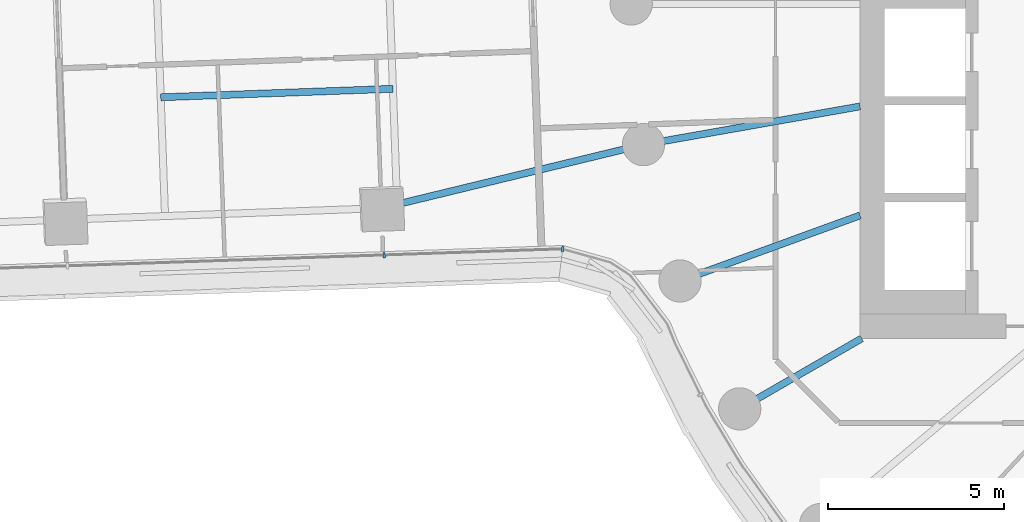
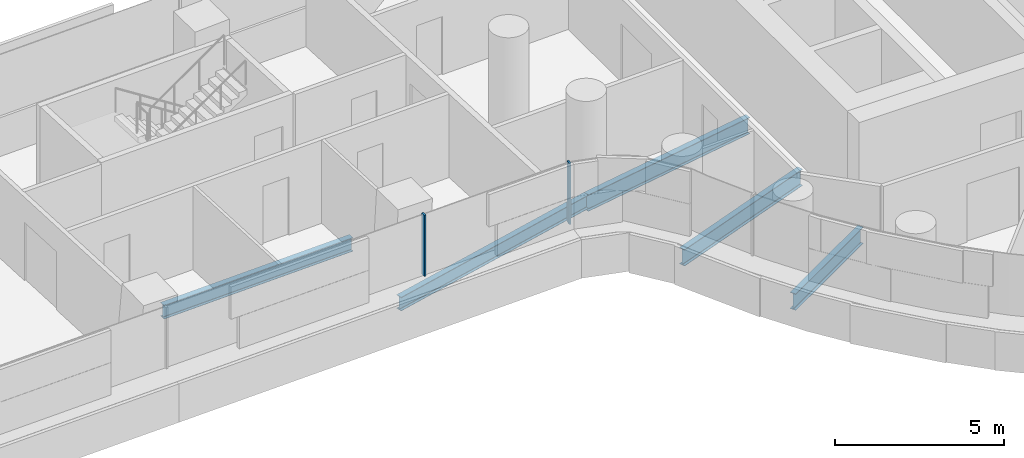
# One storey, part 5 of 31: 5 beams, 2 members, 2 elements without a shape of their own.
"""IFC4 building model written with IfcOpenShell, lengths in metres."""

from ifc_helpers import new_model, si_unit, direction, frame, origin, origin_2d, place, context, subcontext, project, spatial, rectangle, i_section, extrude, material, layer, layer_set, material_profile, profile_set, type_object, element, aggregate, save


model = new_model("IFC4")

# Units and contexts
model_context = context("Model", 3, precision=1e-05, world=origin(), true_north=direction((0.0, 1.0)))
body_context = subcontext(model_context, "Body", "Model", "MODEL_VIEW")
ifc_project = project(units=[si_unit("LENGTHUNIT", "METRE"), si_unit("AREAUNIT", "SQUARE_METRE"), si_unit("VOLUMEUNIT", "CUBIC_METRE"), si_unit("PLANEANGLEUNIT", "RADIAN"), si_unit("MASSUNIT", "GRAM", prefix="KILO")], contexts=[model_context])

# Site, building, storey
site_placement = place(None, origin())
site = spatial("IfcSite", under=ifc_project, at=site_placement, CompositionType="ELEMENT")
building_placement = place(site_placement, origin())
building = spatial("IfcBuilding", under=site, at=building_placement, Name="Tamarind Cross Interchange Tower", CompositionType="ELEMENT")
storey_placement = place(building_placement, frame((0.0, 0.0, 41.5)))
storey = spatial("IfcBuildingStorey", under=building, at=storey_placement, Name="L08", CompositionType="ELEMENT", Elevation=41.5)

# Beams
ifc_material_1 = material(Name="Steel Q355B", Category="steel")
ifc_material_profile_1 = material_profile(ifc_material_1, i_section(OverallWidth=0.198974609375, OverallDepth=0.49609375, WebThickness=0.009033203125, FlangeThickness=0.013916015625, FilletRadius=0.012939453125, at=origin_2d()), Name="HN 496x199x9x14")
ifc_profile_set_1 = profile_set([ifc_material_profile_1], Name="Steel Q355B")
beam_type_1 = type_object("IfcBeamType", Name="Composite beam HN 496x199x9x14 Q355B", PredefinedType="BEAM", material=ifc_profile_set_1)
beam_1_placement = place(storey_placement, frame((-30.093994140625, -5.799072265625, -0.387939453125), z_axis=(0.971828427159, 0.235689431593, 0.0), x_axis=(-0.235689431593, 0.971828427159, 0.0)))
element("IfcBeam", 1, at=beam_1_placement, inside=storey, type_object=beam_type_1, Name="Beam W-linkep", PredefinedType="BEAM", context=body_context, shape_type="SweptSolid", body=[
    extrude(i_section(OverallWidth=0.198974609375, OverallDepth=0.49609375, WebThickness=0.009033203125, FlangeThickness=0.013916015625, FilletRadius=0.012939453125, at=origin_2d()), origin(), (0.0, 0.0, 1.0), 7.6591796875),
])
beam_2_placement = place(storey_placement, frame((-29.767333984375, -2.409912109375, -0.387939453125), z_axis=(-0.999335951553, -0.036437013225, 0.0), x_axis=(0.036437013225, -0.999335951553, 0.0)))
element("IfcBeam", 2, at=beam_2_placement, inside=storey, type_object=beam_type_1, Name="Beam W-stripp", PredefinedType="BEAM", context=body_context, shape_type="SweptSolid", body=[
    extrude(i_section(OverallWidth=0.198974609375, OverallDepth=0.49609375, WebThickness=0.009033203125, FlangeThickness=0.013916015625, FilletRadius=0.012939453125, at=origin_2d()), origin(), (0.0, 0.0, 1.0), 6.599853515625),
])
ifc_material_profile_2 = material_profile(ifc_material_1, i_section(OverallWidth=0.198974609375, OverallDepth=0.595947265625, WebThickness=0.010009765625, FlangeThickness=0.014892578125, FilletRadius=0.012939453125, at=origin_2d()), Name="HN 596x199x10x15")
ifc_profile_set_2 = profile_set([ifc_material_profile_2], Name="Steel Q355B")
beam_type_2 = type_object("IfcBeamType", Name="Composite beam HN 596x199x10x15 Q355B", PredefinedType="BEAM", material=ifc_profile_set_2)
beam_3_placement = place(storey_placement, frame((-22.650634765625, -3.993896484375, -0.43798828125), z_axis=(0.984809127561, 0.173640382036, 0.0), x_axis=(-0.173640382036, 0.984809127561, 0.0)))
element("IfcBeam", 3, at=beam_3_placement, inside=storey, type_object=beam_type_2, Name="Beam HH19", PredefinedType="BEAM", context=body_context, shape_type="SweptSolid", body=[
    extrude(i_section(OverallWidth=0.198974609375, OverallDepth=0.595947265625, WebThickness=0.010009765625, FlangeThickness=0.014892578125, FilletRadius=0.012939453125, at=origin_2d()), origin(), (0.0, 0.0, 1.0), 6.24560546875),
])
beam_4_placement = place(storey_placement, frame((-21.613037109375, -7.866455078125, -0.43798828125), z_axis=(0.939701685589, 0.341995236956, 0.0), x_axis=(-0.341995236956, 0.939701685589, 0.0)))
element("IfcBeam", 4, at=beam_4_placement, inside=storey, type_object=beam_type_2, Name="Beam HH20", PredefinedType="BEAM", context=body_context, shape_type="SweptSolid", body=[
    extrude(i_section(OverallWidth=0.198974609375, OverallDepth=0.595947265625, WebThickness=0.010009765625, FlangeThickness=0.014892578125, FilletRadius=0.012939453125, at=origin_2d()), origin(), (0.0, 0.0, 1.0), 5.441162109375),
])
beam_5_placement = place(storey_placement, frame((-19.918701171875, -11.5, -0.43798828125), z_axis=(0.866026010844, 0.49999894854, 0.0), x_axis=(-0.49999894854, 0.866026010844, 0.0)))
element("IfcBeam", 5, at=beam_5_placement, inside=storey, type_object=beam_type_2, Name="Beam HH21", PredefinedType="BEAM", context=body_context, shape_type="SweptSolid", body=[
    extrude(i_section(OverallWidth=0.198974609375, OverallDepth=0.595947265625, WebThickness=0.010009765625, FlangeThickness=0.014892578125, FilletRadius=0.012939453125, at=origin_2d()), origin(), (0.0, 0.0, 1.0), 4.0),
])

# Curtain wall, member
ifc_material_2 = material(Name="Aluminium 6063-T6", Category="aluminium")
ifc_layer = layer(ifc_material_2, 0.159912109375)
ifc_layer_set = layer_set([ifc_layer], Name="Aluminium 6063-T6")
curtain_wall_type = type_object("IfcCurtainWallType", Name="Office curtain wall, 9.0 m bays", PredefinedType="NOTDEFINED", material=ifc_layer_set)
curtain_wall_1_placement = place(storey_placement, origin())
curtain_wall_1 = element("IfcCurtainWall", 6, at=curtain_wall_1_placement, inside=storey, type_object=curtain_wall_type, Name="CWS-L08-01", PredefinedType="NOTDEFINED")
ifc_material_profile_3 = material_profile(ifc_material_2, rectangle(XDim=0.06005859375, YDim=0.159912109375, at=origin_2d()), Name="Mullion CW1")
ifc_profile_set_3 = profile_set([ifc_material_profile_3], Name="Aluminium 6063-T6")
member_type = type_object("IfcMemberType", Name="Mullion CW1", PredefinedType="MULLION", material=ifc_profile_set_3)
member_1_placement = place(storey_placement, frame((-30.01513671875, -7.13330078125, 1.39990234375), z_axis=(0.0, 0.0, 1.0), x_axis=(0.999410116016, 0.034342684894, 0.0)))
member_1 = element("IfcMember", 7, at=member_1_placement, type_object=member_type, Name="CWM-L08-01-02", PredefinedType="MULLION", context=body_context, shape_type="SweptSolid", body=[
    extrude(rectangle(XDim=0.06005859375, YDim=0.159912109375, at=origin_2d()), origin(), (0.0, 0.0, 1.0), 2.210205078125),
])
aggregate(curtain_wall_1, [member_1])

curtain_wall_2_placement = place(storey_placement, origin())
curtain_wall_2 = element("IfcCurtainWall", 8, at=curtain_wall_2_placement, inside=storey, type_object=curtain_wall_type, Name="CWS-L08-02", PredefinedType="NOTDEFINED")
member_2_placement = place(storey_placement, frame((-24.949462890625, -6.959228515625, 1.39990234375), z_axis=(0.0, 0.0, 1.0), x_axis=(0.992928494772, -0.118713959875, 0.0)))
member_2 = element("IfcMember", 9, at=member_2_placement, type_object=member_type, Name="CWM-L08-02-00", PredefinedType="MULLION", context=body_context, shape_type="SweptSolid", body=[
    extrude(rectangle(XDim=0.06005859375, YDim=0.159912109375, at=origin_2d()), origin(), (0.0, 0.0, 1.0), 2.210205078125),
])
aggregate(curtain_wall_2, [member_2])

save(model, "model.ifc")
